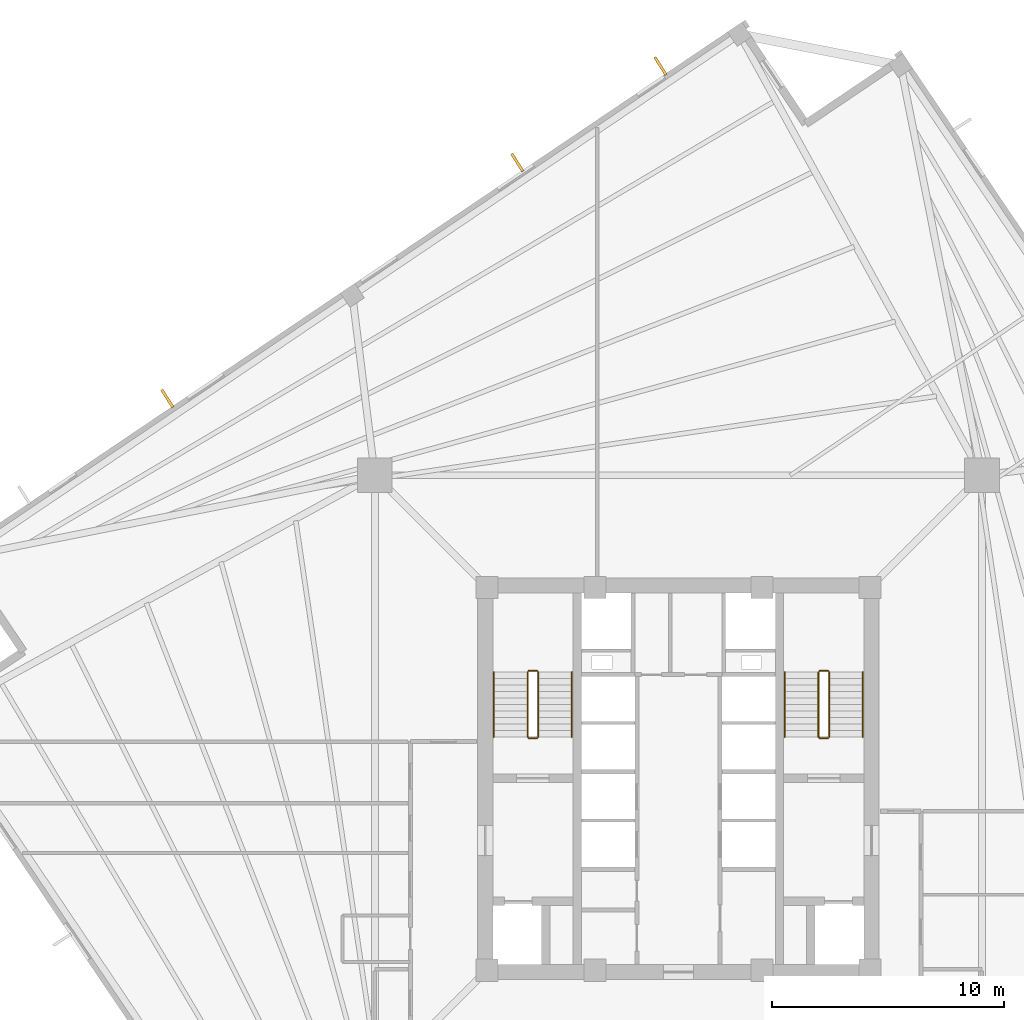
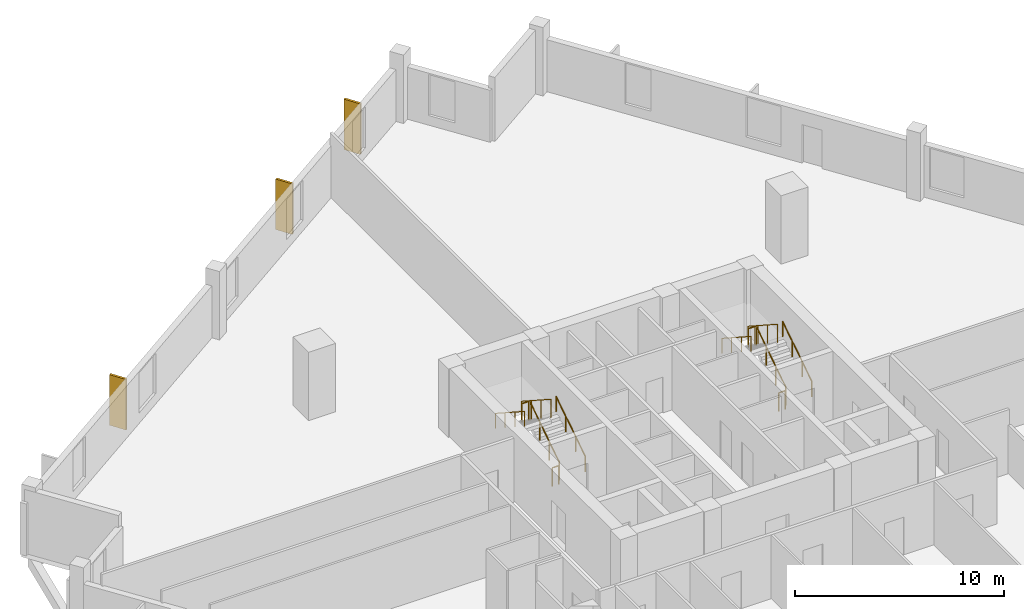
# One storey, part 8 of 9: 12 railings, 3 coverings.
"""IFC4 building model written with IfcOpenShell, lengths in metres."""

from ifc_helpers import new_model, si_unit, direction, frame, origin, origin_2d, place, context, subcontext, project, spatial, rectangle, circle, extrude, source, transform, mapped, material, layer, layer_set, type_object, element, save


model = new_model("IFC4")

# Units and contexts
model_context = context("Model", 3, precision=1e-05, world=origin(), true_north=direction((0.0, 1.0)))
body_context = subcontext(model_context, "Body", "Model", "MODEL_VIEW")
ifc_project = project(units=[si_unit("LENGTHUNIT", "METRE"), si_unit("AREAUNIT", "SQUARE_METRE"), si_unit("VOLUMEUNIT", "CUBIC_METRE"), si_unit("PLANEANGLEUNIT", "RADIAN"), si_unit("MASSUNIT", "GRAM", prefix="KILO"), si_unit("THERMODYNAMICTEMPERATUREUNIT", "KELVIN")], contexts=[model_context])

# Site, building, storey
site_placement = place(None, origin())
site = spatial("IfcSite", under=ifc_project, at=site_placement, CompositionType="ELEMENT")
building_placement = place(site_placement, origin())
building = spatial("IfcBuilding", under=site, at=building_placement, Name="Kosmvard Interchange Tower", CompositionType="ELEMENT")
storey_placement = place(building_placement, frame((0.0, 0.0, 156.39990234375)))
storey = spatial("IfcBuildingStorey", under=building, at=storey_placement, Name="L37", CompositionType="ELEMENT", Elevation=156.39990234375)

# Coverings
ifc_material_1 = material(Name="Architectural anodised aluminium", Category="aluminium")
ifc_layer = layer(ifc_material_1, 0.1201171875, Name="Architectural anodised aluminium")
ifc_layer_set = layer_set([ifc_layer], Name="Architectural anodised aluminium")
covering_type = type_object("IfcCoveringType", Name="Rotating Vertical Sun-Breaker Fin 900x120 Aluminium", PredefinedType="CLADDING", material=ifc_layer_set)
shared_shape_1 = source(origin(), body_context, "Body", "SweptSolid", [
    extrude(rectangle(XDim=0.89990234375, YDim=0.1201171875, at=origin_2d()), origin(), (0.0, 0.0, 1.0), 2.9599609375),
])
for number, where, z_axis, x_axis, name in (
    (1, (-0.774169921875, 30.718994140625, 0.0400390625), (0.0, 0.0, 1.0), (-0.536121488374, 0.844140835231, 0.0), "L37 Rotating Vertical Sun-Breaker Fin 09"),
    (2, (-6.943115234375, 26.557861328125, 0.0400390625), (0.0, 0.0, 1.0), (-0.536121488374, 0.844140835231, 0.0), "L37 Rotating Vertical Sun-Breaker Fin 10"),
    (3, (-22.02294921875, 16.38623046875, 0.0400390625), (0.0, 0.0, 1.0), (-0.536121488374, 0.844140835231, 0.0), "L37 Rotating Vertical Sun-Breaker Fin 11"),
):
    element("IfcCovering", number, at=place(storey_placement, frame(where, z_axis=z_axis, x_axis=x_axis)), inside=storey, type_object=covering_type, Name=name, PredefinedType="CLADDING", context=body_context, shape_type="MappedRepresentation", body=[
        mapped(shared_shape_1, transform((0.0, 0.0, 0.0), scale=1.0)),
    ])

# Railings
ifc_material_2 = material(Name="Steel S355", Category="steel")
railing_type_1 = type_object("IfcRailingType", Name="Stair & Terrace Safety Guardrail 1100 Steel", PredefinedType="GUARDRAIL", material=ifc_material_2)
shared_shape_2 = source(origin(), body_context, "Body", "SweptSolid", [
    extrude(circle(Radius=0.02392578125, at=origin_2d()), frame((0.0, 0.0, 1.076171875), z_axis=(-1.0, 0.0, 0.0), x_axis=(0.0, -1.0, 0.0)), (0.0, 0.0, 1.0), 0.35986328125),
    extrude(circle(Radius=0.02099609375, at=origin_2d()), origin(), (0.0, 0.0, 1.0), 1.052001953125),
    extrude(circle(Radius=0.02099609375, at=origin_2d()), frame((-0.35986328125, 0.0, 0.0)), (0.0, 0.0, 1.0), 1.052001953125),
])
for number, where, name in (
    (4, (-6.090087890625, 4.64990234375, 2.0), "L37 ST-1 stair guard 2"),
    (5, (-6.090087890625, 1.75, 0.0), "L37 ST-1 stair guard 4"),
    (6, (6.449951171875, 4.64990234375, 2.0), "L37 ST-2 stair guard 2"),
    (7, (6.449951171875, 1.75, 0.0), "L37 ST-2 stair guard 4"),
):
    element("IfcRailing", number, at=place(storey_placement, frame(where)), inside=storey, type_object=railing_type_1, Name=name, PredefinedType="GUARDRAIL", context=body_context, shape_type="MappedRepresentation", body=[
        mapped(shared_shape_2, transform((0.0, 0.0, 0.0), scale=1.0)),
    ])
shared_shape_3 = source(origin(), body_context, "Body", "SweptSolid", [
    extrude(circle(Radius=0.02392578125, at=origin_2d()), frame((0.0, 0.0, 1.076171875), z_axis=(0.0, 0.838705829183, 0.544584733623), x_axis=(-1.0, 0.0, 0.0)), (0.0, 0.0, 1.0), 3.338623046875),
    extrude(circle(Radius=0.02099609375, at=origin_2d()), origin(), (0.0, 0.0, 1.0), 1.052001953125),
    extrude(circle(Radius=0.02099609375, at=origin_2d()), frame((0.0, 0.933349609375, 0.60595703125)), (0.0, 0.0, 1.0), 1.052001953125),
    extrude(circle(Radius=0.02099609375, at=origin_2d()), frame((0.0, 1.86669921875, 1.212158203125)), (0.0, 0.0, 1.0), 1.052001953125),
    extrude(circle(Radius=0.02099609375, at=origin_2d()), frame((0.0, 2.800048828125, 1.818115234375)), (0.0, 0.0, 1.0), 1.052001953125),
])
for number, where, name in (
    (8, (-6.0400390625, 1.800048828125, 0.181884765625), "L37 ST-1 stair guard 1"),
    (9, (6.5, 1.800048828125, 0.181884765625), "L37 ST-2 stair guard 1"),
):
    element("IfcRailing", number, at=place(storey_placement, frame(where)), inside=storey, type_object=railing_type_1, Name=name, PredefinedType="GUARDRAIL", context=body_context, shape_type="MappedRepresentation", body=[
        mapped(shared_shape_3, transform((0.0, 0.0, 0.0), scale=1.0)),
    ])
shared_shape_4 = source(origin(), body_context, "Body", "SweptSolid", [
    extrude(circle(Radius=0.02392578125, at=origin_2d()), frame((0.0, 0.0, 1.076171875), z_axis=(0.0, -0.838705829183, 0.544584733623), x_axis=(1.0, 0.0, 0.0)), (0.0, 0.0, 1.0), 3.338623046875),
    extrude(circle(Radius=0.02099609375, at=origin_2d()), origin(), (0.0, 0.0, 1.0), 1.052001953125),
    extrude(circle(Radius=0.02099609375, at=origin_2d()), frame((0.0, -0.933349609375, 0.60595703125)), (0.0, 0.0, 1.0), 1.052001953125),
    extrude(circle(Radius=0.02099609375, at=origin_2d()), frame((0.0, -1.86669921875, 1.212158203125)), (0.0, 0.0, 1.0), 1.052001953125),
    extrude(circle(Radius=0.02099609375, at=origin_2d()), frame((0.0, -2.800048828125, 1.818115234375)), (0.0, 0.0, 1.0), 1.052001953125),
])
for number, where, name in (
    (10, (-6.5, 4.60009765625, 2.181884765625), "L37 ST-1 stair guard 3"),
    (11, (6.0400390625, 4.60009765625, 2.181884765625), "L37 ST-2 stair guard 3"),
):
    element("IfcRailing", number, at=place(storey_placement, frame(where)), inside=storey, type_object=railing_type_1, Name=name, PredefinedType="GUARDRAIL", context=body_context, shape_type="MappedRepresentation", body=[
        mapped(shared_shape_4, transform((0.0, 0.0, 0.0), scale=1.0)),
    ])
railing_type_2 = type_object("IfcRailingType", Name="Wall-Mounted Stair Handrail 900 Steel", PredefinedType="HANDRAIL", material=ifc_material_2)
shared_shape_5 = source(origin(), body_context, "Body", "SweptSolid", [
    extrude(circle(Radius=0.02392578125, at=origin_2d()), frame((0.0, 0.0, 0.8759765625), z_axis=(0.0, 0.838705829183, 0.544584733623), x_axis=(-1.0, 0.0, 0.0)), (0.0, 0.0, 1.0), 3.338623046875),
    extrude(circle(Radius=0.02099609375, at=origin_2d()), origin(), (0.0, 0.0, 1.0), 0.851806640625),
    extrude(circle(Radius=0.02099609375, at=origin_2d()), frame((0.0, 0.933349609375, 0.60595703125)), (0.0, 0.0, 1.0), 0.851806640625),
    extrude(circle(Radius=0.02099609375, at=origin_2d()), frame((0.0, 1.86669921875, 1.212158203125)), (0.0, 0.0, 1.0), 0.851806640625),
    extrude(circle(Radius=0.02099609375, at=origin_2d()), frame((0.0, 2.800048828125, 1.818115234375)), (0.0, 0.0, 1.0), 0.851806640625),
])
for number, where, name in (
    (12, (-4.590087890625, 1.800048828125, 0.181884765625), "L37 ST-1 stair handrail 1"),
    (13, (7.949951171875, 1.800048828125, 0.181884765625), "L37 ST-2 stair handrail 1"),
):
    element("IfcRailing", number, at=place(storey_placement, frame(where)), inside=storey, type_object=railing_type_2, Name=name, PredefinedType="HANDRAIL", context=body_context, shape_type="MappedRepresentation", body=[
        mapped(shared_shape_5, transform((0.0, 0.0, 0.0), scale=1.0)),
    ])
shared_shape_6 = source(origin(), body_context, "Body", "SweptSolid", [
    extrude(circle(Radius=0.02392578125, at=origin_2d()), frame((0.0, 0.0, 0.8759765625), z_axis=(0.0, -0.838705829183, 0.544584733623), x_axis=(1.0, 0.0, 0.0)), (0.0, 0.0, 1.0), 3.338623046875),
    extrude(circle(Radius=0.02099609375, at=origin_2d()), origin(), (0.0, 0.0, 1.0), 0.851806640625),
    extrude(circle(Radius=0.02099609375, at=origin_2d()), frame((0.0, -0.933349609375, 0.60595703125)), (0.0, 0.0, 1.0), 0.851806640625),
    extrude(circle(Radius=0.02099609375, at=origin_2d()), frame((0.0, -1.86669921875, 1.212158203125)), (0.0, 0.0, 1.0), 0.851806640625),
    extrude(circle(Radius=0.02099609375, at=origin_2d()), frame((0.0, -2.800048828125, 1.818115234375)), (0.0, 0.0, 1.0), 0.851806640625),
])
for number, where, name in (
    (14, (-7.949951171875, 4.60009765625, 2.181884765625), "L37 ST-1 stair handrail 2"),
    (15, (4.590087890625, 4.60009765625, 2.181884765625), "L37 ST-2 stair handrail 2"),
):
    element("IfcRailing", number, at=place(storey_placement, frame(where)), inside=storey, type_object=railing_type_2, Name=name, PredefinedType="HANDRAIL", context=body_context, shape_type="MappedRepresentation", body=[
        mapped(shared_shape_6, transform((0.0, 0.0, 0.0), scale=1.0)),
    ])

save(model, "model.ifc")
